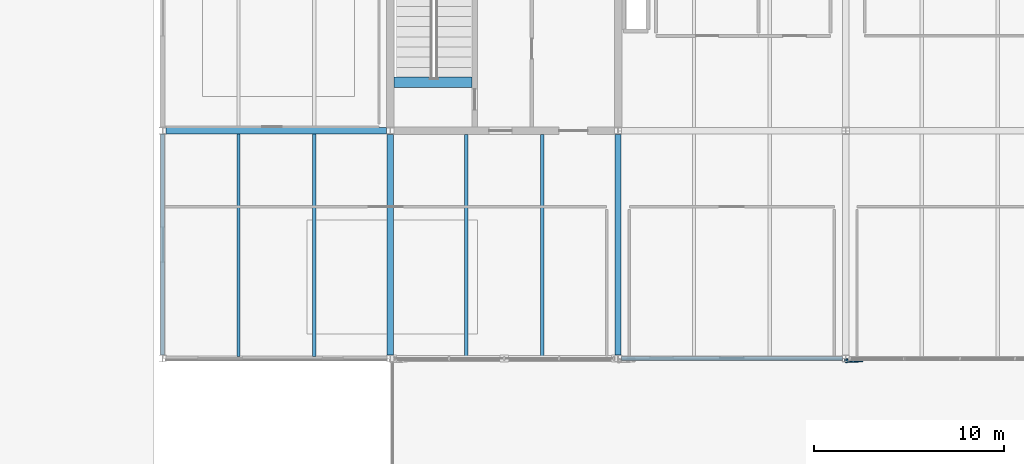
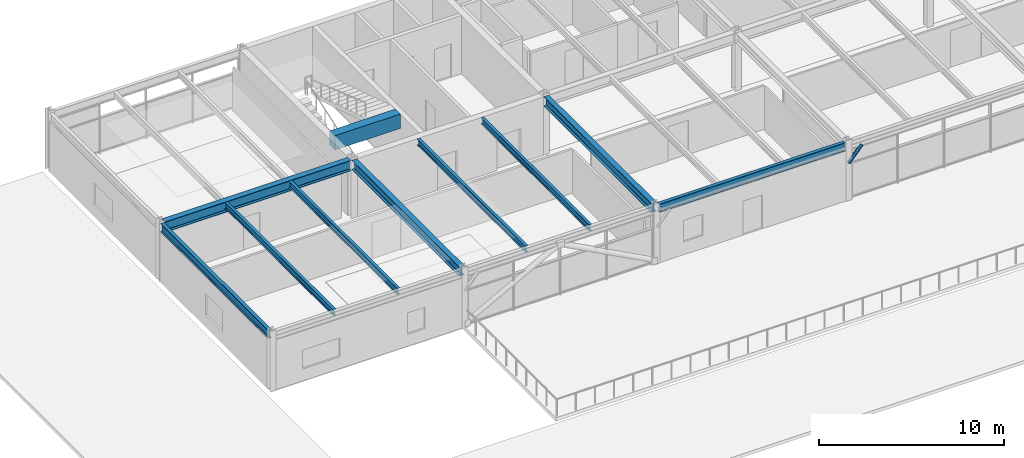
# One storey, part 8 of 30: 10 beams, 1 member.
"""IFC4 building model written with IfcOpenShell, lengths in metres."""

from ifc_helpers import new_model, si_unit, direction, frame, origin, origin_2d, place, context, subcontext, project, spatial, rectangle, hollow_circle, i_section, extrude, material, material_profile, profile_set, type_object, element, save


model = new_model("IFC4")

# Units and contexts
model_context = context("Model", 3, precision=1e-05, world=origin(), true_north=direction((0.0, 1.0)))
body_context = subcontext(model_context, "Body", "Model", "MODEL_VIEW")
ifc_project = project(units=[si_unit("LENGTHUNIT", "METRE"), si_unit("AREAUNIT", "SQUARE_METRE"), si_unit("VOLUMEUNIT", "CUBIC_METRE"), si_unit("PLANEANGLEUNIT", "RADIAN"), si_unit("MASSUNIT", "GRAM", prefix="KILO")], contexts=[model_context])

# Site, building, storey
site_placement = place(None, origin())
site = spatial("IfcSite", under=ifc_project, at=site_placement, CompositionType="ELEMENT")
building_placement = place(site_placement, origin())
building = spatial("IfcBuilding", under=site, at=building_placement, Name="Girod Span Mobility Hub", CompositionType="ELEMENT")
storey_placement = place(building_placement, frame((0.0, 0.0, 49.60009765625)))
storey = spatial("IfcBuildingStorey", under=building, at=storey_placement, Name="L12", CompositionType="ELEMENT", Elevation=49.60009765625)

# Beams
ifc_material_1 = material(Name="Concrete C40/50", Category="concrete")
ifc_material_profile_1 = material_profile(ifc_material_1, rectangle(XDim=0.550048828125, YDim=0.949951171875, at=origin_2d()), Name="RK-550X950")
ifc_profile_set_1 = profile_set([ifc_material_profile_1], Name="Concrete C40/50")
beam_type_1 = type_object("IfcBeamType", Name="BM-RK-550X950", PredefinedType="BEAM", material=ifc_profile_set_1)
beam_1_placement = place(storey_placement, frame((48.197021484375, 59.550048828125, 3.369873046875), z_axis=(1.0, 0.0, 0.0), x_axis=(0.0, 1.0, 0.0)))
element("IfcBeam", 1, at=beam_1_placement, inside=storey, type_object=beam_type_1, Name="Stair ST-1 Landing Header Beam L12", PredefinedType="BEAM", context=body_context, shape_type="SweptSolid", body=[
    extrude(rectangle(XDim=0.550048828125, YDim=0.949951171875, at=origin_2d()), origin(), (0.0, 0.0, 1.0), 4.10595703125),
])
ifc_material_2 = material(Name="Steel A992 Grade 50", Category="steel")
ifc_material_profile_2 = material_profile(ifc_material_2, i_section(OverallWidth=0.178955078125, OverallDepth=0.409912109375, WebThickness=0.0087890625, FlangeThickness=0.014404296875, FilletRadius=0.012939453125, at=origin_2d()), Name="W16X45")
ifc_profile_set_2 = profile_set([ifc_material_profile_2], Name="Steel A992 Grade 50")
beam_type_2 = type_object("IfcBeamType", Name="BM-STL-W16X45", PredefinedType="BEAM", material=ifc_profile_set_2)
for number, where, z_axis, x_axis, name in (
    (2, (40.0, 45.10302734375, 3.639892578125), (0.0, 1.0, 0.0), (-1.0, 0.0, 0.0), "Composite Floorbeam 4/D-1 L12"),
    (3, (44.0, 45.10302734375, 3.639892578125), (0.0, 1.0, 0.0), (-1.0, 0.0, 0.0), "Composite Floorbeam 4/D-2 L12"),
):
    element("IfcBeam", number, at=place(storey_placement, frame(where, z_axis=z_axis, x_axis=x_axis)), inside=storey, type_object=beam_type_2, Name=name, PredefinedType="BEAM", context=body_context, shape_type="SweptSolid", body=[
        extrude(i_section(OverallWidth=0.178955078125, OverallDepth=0.409912109375, WebThickness=0.0087890625, FlangeThickness=0.014404296875, FilletRadius=0.012939453125, at=origin_2d()), origin(), (0.0, 0.0, 1.0), 11.722412109375),
    ])
for number, where, z_axis, x_axis, name in (
    (4, (52.0, 45.10302734375, 3.639892578125), (0.0, 1.0, 0.0), (-1.0, 0.0, 0.0), "Composite Floorbeam 5/D-1 L12"),
    (5, (56.0, 45.10302734375, 3.639892578125), (0.0, 1.0, 0.0), (-1.0, 0.0, 0.0), "Composite Floorbeam 5/D-2 L12"),
):
    element("IfcBeam", number, at=place(storey_placement, frame(where, z_axis=z_axis, x_axis=x_axis)), inside=storey, type_object=beam_type_2, Name=name, PredefinedType="BEAM", context=body_context, shape_type="SweptSolid", body=[
        extrude(i_section(OverallWidth=0.178955078125, OverallDepth=0.409912109375, WebThickness=0.0087890625, FlangeThickness=0.014404296875, FilletRadius=0.012939453125, at=origin_2d()), origin(), (0.0, 0.0, 1.0), 11.699951171875),
    ])
ifc_material_3 = material(Name="Steel A992 Grade 50", Category="steel")
ifc_material_profile_3 = material_profile(ifc_material_3, i_section(OverallWidth=0.2119140625, OverallDepth=0.5439453125, WebThickness=0.01318359375, FlangeThickness=0.021240234375, FilletRadius=0.014892578125, at=origin_2d()), Name="W21X83")
ifc_profile_set_3 = profile_set([ifc_material_profile_3], Name="Steel A992 Grade 50")
beam_type_3 = type_object("IfcBeamType", Name="BM-STL-W21X83", PredefinedType="SPANDREL", material=ifc_profile_set_3)
beam_2_placement = place(storey_placement, frame((60.181396484375, 45.0, 3.572998046875), z_axis=(1.0, 0.0, 0.0), x_axis=(0.0, 1.0, 0.0)))
element("IfcBeam", 6, at=beam_2_placement, inside=storey, type_object=beam_type_3, Name="Girder 6-7/D L12", PredefinedType="SPANDREL", context=body_context, shape_type="SweptSolid", body=[
    extrude(i_section(OverallWidth=0.2119140625, OverallDepth=0.5439453125, WebThickness=0.01318359375, FlangeThickness=0.021240234375, FilletRadius=0.014892578125, at=origin_2d()), origin(), (0.0, 0.0, 1.0), 11.63720703125),
])
beam_3_placement = place(storey_placement, frame((36.0, 45.175048828125, 3.572998046875), z_axis=(0.0, 1.0, 0.0), x_axis=(-1.0, 0.0, 0.0)))
element("IfcBeam", 7, at=beam_3_placement, inside=storey, type_object=beam_type_3, Name="Tie Girder 4/D-E L12", PredefinedType="SPANDREL", context=body_context, shape_type="SweptSolid", body=[
    extrude(i_section(OverallWidth=0.2119140625, OverallDepth=0.5439453125, WebThickness=0.01318359375, FlangeThickness=0.021240234375, FilletRadius=0.014892578125, at=origin_2d()), origin(), (0.0, 0.0, 1.0), 11.64990234375),
])
ifc_material_4 = material(Name="Steel A992 Grade 50", Category="steel")
ifc_material_profile_4 = material_profile(ifc_material_4, i_section(OverallWidth=0.323974609375, OverallDepth=0.611083984375, WebThickness=0.0126953125, FlangeThickness=0.01904296875, FilletRadius=0.014892578125, at=origin_2d()), Name="W24X104")
ifc_profile_set_4 = profile_set([ifc_material_profile_4], Name="Steel A992 Grade 50")
beam_type_4 = type_object("IfcBeamType", Name="BM-STL-W24X104", PredefinedType="BEAM", material=ifc_profile_set_4)
for number, where, z_axis, x_axis, name in (
    (8, (48.0, 45.175048828125, 3.539306640625), (0.0, 1.0, 0.0), (-1.0, 0.0, 0.0), "Tie Girder 5/D-E L12"),
    (9, (60.0, 45.175048828125, 3.539306640625), (0.0, 1.0, 0.0), (-1.0, 0.0, 0.0), "Tie Girder 6/D-E L12"),
):
    element("IfcBeam", number, at=place(storey_placement, frame(where, z_axis=z_axis, x_axis=x_axis)), inside=storey, type_object=beam_type_4, Name=name, PredefinedType="BEAM", context=body_context, shape_type="SweptSolid", body=[
        extrude(i_section(OverallWidth=0.323974609375, OverallDepth=0.611083984375, WebThickness=0.0126953125, FlangeThickness=0.01904296875, FilletRadius=0.014892578125, at=origin_2d()), origin(), (0.0, 0.0, 1.0), 11.640380859375),
    ])
ifc_material_5 = material(Name="Steel A992 Grade 50", Category="steel")
ifc_material_profile_5 = material_profile(ifc_material_5, i_section(OverallWidth=0.35498046875, OverallDepth=0.695068359375, WebThickness=0.015380859375, FlangeThickness=0.02490234375, FilletRadius=0.01806640625, at=origin_2d()), Name="W27X146")
ifc_profile_set_5 = profile_set([ifc_material_profile_5], Name="Steel A992 Grade 50")
beam_type_5 = type_object("IfcBeamType", Name="BM-STL-W27X146", PredefinedType="BEAM", material=ifc_profile_set_5)
beam_4_placement = place(storey_placement, frame((36.181396484375, 57.0, 3.497314453125), z_axis=(1.0, 0.0, 0.0), x_axis=(0.0, 1.0, 0.0)))
element("IfcBeam", 10, at=beam_4_placement, inside=storey, type_object=beam_type_5, Name="Girder 4-5/E L12", PredefinedType="BEAM", context=body_context, shape_type="SweptSolid", body=[
    extrude(i_section(OverallWidth=0.35498046875, OverallDepth=0.695068359375, WebThickness=0.015380859375, FlangeThickness=0.02490234375, FilletRadius=0.01806640625, at=origin_2d()), origin(), (0.0, 0.0, 1.0), 11.62451171875),
])

# Member
ifc_material_6 = material(Name="Steel HSS A500 Grade C", Category="steel")
ifc_material_profile_6 = material_profile(ifc_material_6, hollow_circle(Radius=0.109619140625, WallThickness=0.0087890625, at=origin_2d()), Name="HSS219X9.5")
ifc_profile_set_6 = profile_set([ifc_material_profile_6], Name="Steel HSS A500 Grade C")
member_type = type_object("IfcMemberType", Name="MB-ST-HSS219", PredefinedType="STRUT", material=ifc_profile_set_6)
member_placement = place(storey_placement, frame((72.0, 44.8798828125, 2.449951171875), z_axis=(0.680281556862, 0.032040831512, 0.732250222608), x_axis=(-0.047047213483, 0.998892666758, 0.0)))
element("IfcMember", 11, at=member_placement, inside=storey, type_object=member_type, Name="Solar Shading Knee Strut 7 L12", PredefinedType="STRUT", context=body_context, shape_type="SweptSolid", body=[
    extrude(hollow_circle(Radius=0.109619140625, WallThickness=0.0087890625, at=origin_2d()), origin(), (0.0, 0.0, 1.0), 1.24951171875),
])

save(model, "model.ifc")
